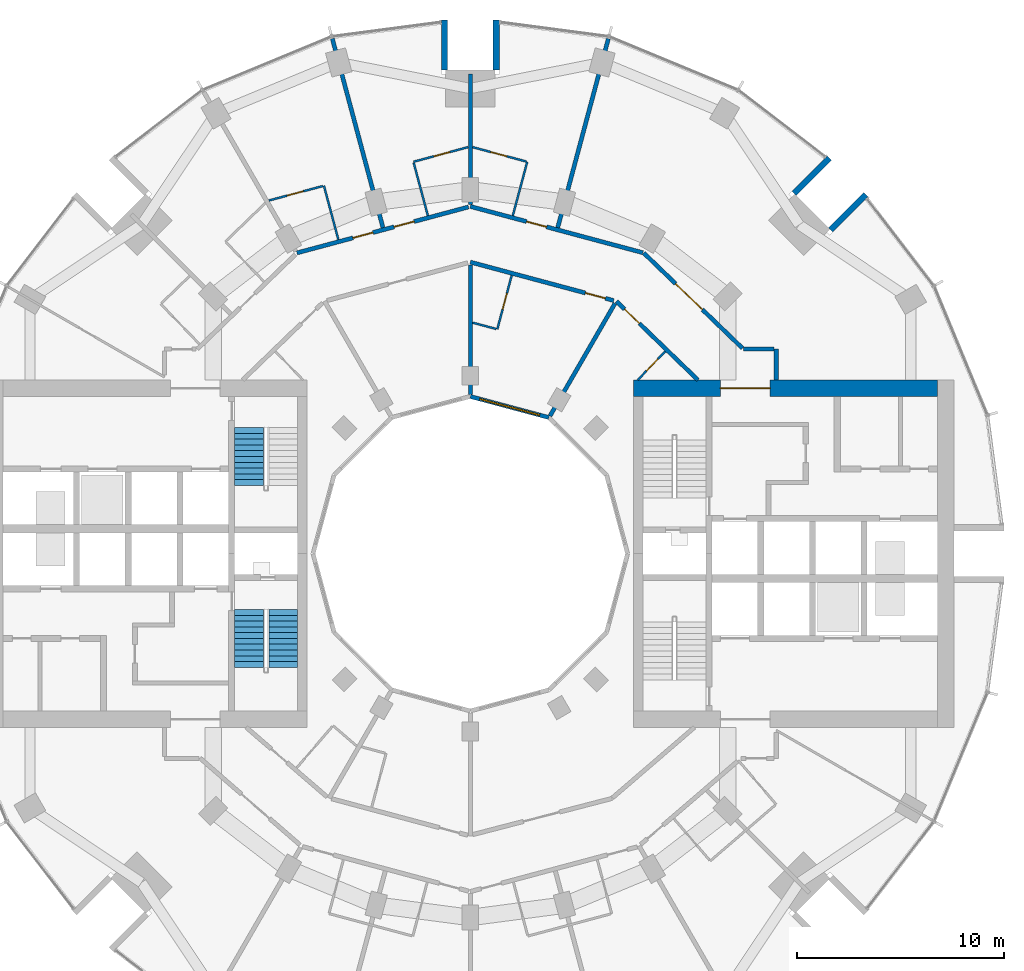
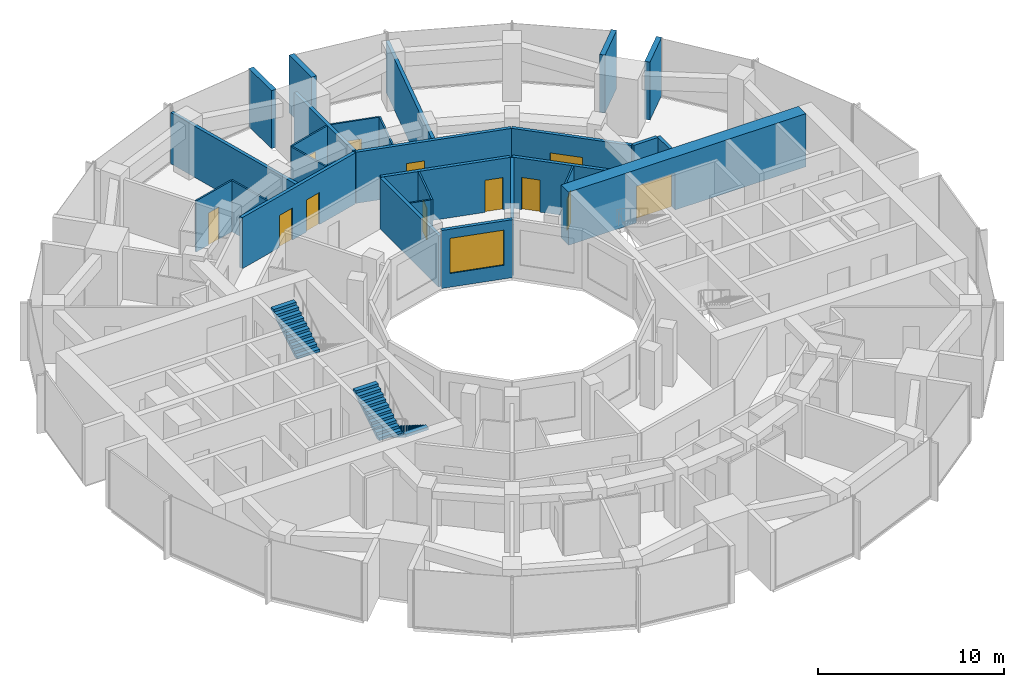
# One storey, part 12 of 15: 27 walls, 12 doors, 3 stair flights, 1 window, 13 openings, 2 elements without a shape of their own.
"""IFC4 building model written with IfcOpenShell, lengths in metres."""

import ifcopenshell
import ifcopenshell.guid

model = None  # the IFC model being written
_history = None  # IfcOwnerHistory: only IFC2X3 demands one
_inside = {}  # id of a spatial element -> (the spatial element, [elements in it])
_under = {}  # id of a project, library or spatial element -> (it, [spatial elements below it])
_declared = {}  # id of a project -> (the project, [libraries it declares])
_typed = {}  # id of a type object -> (the type object, [elements of that type])
_made_of = {}  # id of a material, layer set ... -> (it, [elements and type objects made of it])


def new_model(schema):
    """Start an empty IFC model of exactly this schema.

    Asked for "IFC4X3", IfcOpenShell would pick the latest addendum, in which some entities
    have other attributes; the version numbers below select the first issue.
    IFC2X3 requires an IfcOwnerHistory on every rooted entity: one is made here for all.
    """
    global model, _history
    if schema == "IFC4X3":
        model = ifcopenshell.file(schema_version=(4, 3, 0, 0))
    else:
        model = ifcopenshell.file(schema=schema)
    _inside.clear()
    _under.clear()
    _declared.clear()
    _typed.clear()
    _made_of.clear()
    _history = None
    if model.schema == "IFC2X3":
        org = make("IfcOrganization", Name="unknown")
        user = make(
            "IfcPersonAndOrganization",
            ThePerson=make("IfcPerson", FamilyName="unknown"),
            TheOrganization=org,
        )
        app = make(
            "IfcApplication",
            ApplicationDeveloper=org,
            Version="unknown",
            ApplicationFullName="unknown",
            ApplicationIdentifier="unknown",
        )
        _history = make(
            "IfcOwnerHistory",
            OwningUser=user,
            OwningApplication=app,
            ChangeAction="ADDED",
            CreationDate=0,
        )
    return model


def make(cls, **values):
    """One entity of the class cls with the attributes given. An attribute that is None is left unset."""
    return model.create_entity(
        cls, **{name: value for name, value in values.items() if value is not None}
    )


def rooted(cls, **values):
    """An entity with a GlobalId (a new one), such as an element, a storey or a relation."""
    return make(cls, GlobalId=ifcopenshell.guid.new(), OwnerHistory=_history, **values)


def si_unit(unit_type, name, prefix=None):
    """IfcSIUnit, for example si_unit("LENGTHUNIT", "METRE", prefix="MILLI")."""
    return make("IfcSIUnit", UnitType=unit_type, Prefix=prefix, Name=name)


def assignment(units):
    """IfcUnitAssignment: the units of a project."""
    return None if units is None else make("IfcUnitAssignment", Units=units)


def point(xyz):
    """IfcCartesianPoint."""
    return None if xyz is None else make("IfcCartesianPoint", Coordinates=xyz)


def direction(xyz):
    """IfcDirection."""
    return None if xyz is None else make("IfcDirection", DirectionRatios=xyz)


def frame(location, z_axis=None, x_axis=None):
    """IfcAxis2Placement3D, a coordinate frame: its origin and axes. An axis left out is left unset."""
    return make(
        "IfcAxis2Placement3D",
        Location=point(location),
        Axis=direction(z_axis),
        RefDirection=direction(x_axis),
    )


def frame_2d(location, x_axis=None):
    """IfcAxis2Placement2D, a coordinate frame in the plane: its origin and x axis."""
    return make(
        "IfcAxis2Placement2D", Location=point(location), RefDirection=direction(x_axis)
    )


def origin():
    """The frame at (0, 0, 0) with its axes left unset."""
    return frame((0.0, 0.0, 0.0))


def place(relative_to, where):
    """IfcLocalPlacement: puts the frame where relative to a parent placement (None: the world)."""
    return make(
        "IfcLocalPlacement", PlacementRelTo=relative_to, RelativePlacement=where
    )


def context(
    kind, dimensions, precision=None, world=None, true_north=None, identifier=None
):
    """IfcGeometricRepresentationContext, for example the 3D "Model" context."""
    return make(
        "IfcGeometricRepresentationContext",
        ContextIdentifier=identifier,
        ContextType=kind,
        CoordinateSpaceDimension=dimensions,
        Precision=precision,
        WorldCoordinateSystem=world,
        TrueNorth=true_north,
    )


def subcontext(parent, identifier, kind, view, scale=None):
    """IfcGeometricRepresentationSubContext, for example "Body" below "Model"."""
    return make(
        "IfcGeometricRepresentationSubContext",
        ContextIdentifier=identifier,
        ContextType=kind,
        ParentContext=parent,
        TargetScale=scale,
        TargetView=view,
    )


def project(units=None, contexts=None):
    """IfcProject with its units and contexts."""
    return rooted(
        "IfcProject",
        Name="project",
        RepresentationContexts=contexts,
        UnitsInContext=assignment(units),
    )


def spatial(cls, under=None, at=None, **own):
    """A site, building, storey or space (cls), placed at a placement, below another one or the project."""
    s = rooted(cls, ObjectPlacement=at, **own)
    if under is not None:
        _under.setdefault(under.id(), (under, []))[1].append(s)
    return s


def polyline(points):
    """IfcPolyline through the points."""
    return make("IfcPolyline", Points=[point(p) for p in points])


def profile(cls, at=None, kind="AREA", **sizes):
    """A parametric profile (cls). Its sizes go by their IFC names, for example OverallWidth=200.0."""
    return make(cls, ProfileType=kind, Position=at, **sizes)


def rectangle(**sizes):
    """IfcRectangleProfileDef."""
    return profile("IfcRectangleProfileDef", **sizes)


def outline(outer, holes=None, kind="AREA"):
    """IfcArbitraryClosedProfileDef: a profile drawn as a closed curve; with holes, ...WithVoids."""
    if holes is None:
        return make("IfcArbitraryClosedProfileDef", ProfileType=kind, OuterCurve=outer)
    return make(
        "IfcArbitraryProfileDefWithVoids",
        ProfileType=kind,
        OuterCurve=outer,
        InnerCurves=holes,
    )


def extrude(swept, where, along, depth):
    """IfcExtrudedAreaSolid: the profile swept, set in the frame where, extruded along a direction by depth."""
    return make(
        "IfcExtrudedAreaSolid",
        SweptArea=swept,
        Position=where,
        ExtrudedDirection=direction(along),
        Depth=depth,
    )


def shape(context_of_items, identifier, shape_type, items):
    """IfcShapeRepresentation: the items that make up one representation, for example the "Body"."""
    return make(
        "IfcShapeRepresentation",
        ContextOfItems=context_of_items,
        RepresentationIdentifier=identifier,
        RepresentationType=shape_type,
        Items=items,
    )


def material(Name=None, Category=None):
    """IfcMaterial."""
    return make("IfcMaterial", Name=Name, Category=Category)


def layer(
    of_material, thickness, ventilated=None, Name=None, Category=None, Priority=None
):
    """IfcMaterialLayer: one layer of a wall or slab, of a material (None: an air gap)."""
    return make(
        "IfcMaterialLayer",
        Material=of_material,
        LayerThickness=thickness,
        IsVentilated=ventilated,
        Name=Name,
        Category=Category,
        Priority=Priority,
    )


def layer_set(layers, Name=None):
    """IfcMaterialLayerSet."""
    return make("IfcMaterialLayerSet", MaterialLayers=layers, LayerSetName=Name)


def made_of(thing, what):
    """Note that an element or type object is made of a material, layer set ...; save() writes the relation."""
    if what is not None:
        _made_of.setdefault(what.id(), (what, []))[1].append(thing)
    return thing


def type_object(cls, material=None, **own):
    """A type object (cls), such as IfcWallType, which elements share."""
    return made_of(rooted(cls, **own), material)


def element(
    cls,
    number,
    at=None,
    inside=None,
    cuts=None,
    type_object=None,
    material=None,
    context=None,
    identifier="Body",
    shape_type=None,
    held_by="IfcProductDefinitionShape",
    body=None,
    shapes=None,
    **own,
):
    """One element of the class cls, such as IfcWall. Its Tag is "e" and its number.

    at: its placement. inside: the storey or other place that contains it. cuts: it is an
    opening in that element (IfcRelVoidsElement). A single representation is given by context,
    identifier, shape_type and body (its items); several are given by shapes. held_by: the class
    of the entity that holds the representations. save() writes the other relations.
    """
    e = rooted(cls, Tag="e%d" % number, ObjectPlacement=at, **own)
    if body is not None:
        shapes = [shape(context, identifier, shape_type, body)]
    if shapes is not None:
        e.Representation = make(held_by, Representations=shapes)
    if inside is not None:
        _inside.setdefault(inside.id(), (inside, []))[1].append(e)
    if cuts is not None:
        rooted(
            "IfcRelVoidsElement", RelatingBuildingElement=cuts, RelatedOpeningElement=e
        )
    if type_object is not None:
        _typed.setdefault(type_object.id(), (type_object, []))[1].append(e)
    return made_of(e, material)


def fill(opening, filler):
    """IfcRelFillsElement: the door or window that sits in an opening."""
    return rooted(
        "IfcRelFillsElement",
        RelatingOpeningElement=opening,
        RelatedBuildingElement=filler,
    )


def aggregate(whole, parts):
    """IfcRelAggregates: a whole, such as a stair, and the parts it consists of."""
    return rooted("IfcRelAggregates", RelatingObject=whole, RelatedObjects=parts)


def save(model, path):
    """Write the relations noted so far, then the file.

    IfcRelAggregates (storeys below a building ...), IfcRelContainedInSpatialStructure (elements
    in a storey), IfcRelDefinesByType, IfcRelAssociatesMaterial and IfcRelDeclares: one each for
    every whole, place, type object, material and project.
    """
    for whole, parts in _under.values():
        aggregate(whole, parts)
    for where, things in _inside.values():
        rooted(
            "IfcRelContainedInSpatialStructure",
            RelatedElements=things,
            RelatingStructure=where,
        )
    for kind, things in _typed.values():
        rooted("IfcRelDefinesByType", RelatedObjects=things, RelatingType=kind)
    for what, things in _made_of.values():
        rooted("IfcRelAssociatesMaterial", RelatedObjects=things, RelatingMaterial=what)
    for by, libraries in _declared.values():
        rooted("IfcRelDeclares", RelatingContext=by, RelatedDefinitions=libraries)
    model.write(path)


model = new_model("IFC4")

# Units and contexts
model_context = context("Model", 3, precision=1e-05, world=origin(), true_north=direction((0.0, 1.0)))
body_context = subcontext(model_context, "Body", "Model", "MODEL_VIEW")
ifc_project = project(units=[si_unit("LENGTHUNIT", "METRE"), si_unit("AREAUNIT", "SQUARE_METRE"), si_unit("VOLUMEUNIT", "CUBIC_METRE"), si_unit("PLANEANGLEUNIT", "RADIAN"), si_unit("MASSUNIT", "GRAM", prefix="KILO")], contexts=[model_context])

# Site, building, storey
site_placement = place(None, origin())
site = spatial("IfcSite", under=ifc_project, at=site_placement, CompositionType="ELEMENT")
building_placement = place(site_placement, origin())
building = spatial("IfcBuilding", under=site, at=building_placement, Name="Torre Brocal", CompositionType="ELEMENT")
storey_placement = place(building_placement, frame((0.0, 0.0, 63.0)))
storey = spatial("IfcBuildingStorey", under=building, at=storey_placement, Name="L14", CompositionType="ELEMENT", Elevation=63.0)

# Wall, opening, door
ifc_material_1 = material(Name="Concrete C80", Category="concrete")
ifc_layer_1 = layer(ifc_material_1, 0.800048828125)
ifc_layer_set_1 = layer_set([ifc_layer_1], Name="Concrete C80")
wall_type_1 = type_object("IfcWallType", Name="CORE WALL 800 C80", PredefinedType="SHEAR", material=ifc_layer_set_1)
wall_1_placement = place(storey_placement, frame((87.89990234375, 83.0, 0.0), z_axis=(0.0, 0.0, 1.0), x_axis=(1.0, 0.0, 0.0)))
wall_1 = element("IfcWall", 1, at=wall_1_placement, inside=storey, type_object=wall_type_1, Name="Wall CW800-80", PredefinedType="SHEAR", context=body_context, shape_type="SweptSolid", body=[
    extrude(rectangle(XDim=14.7001953125, YDim=0.800048828125, at=frame_2d((7.35009765625, 0.0))), origin(), (0.0, 0.0, 1.0), 3.47998046875),
])
opening_1_placement = place(wall_1_placement, frame((4.199951171875, 0.0, 0.0)))
opening_1 = element("IfcOpeningElement", 2, at=opening_1_placement, cuts=wall_1, Name="Opening E-D24", PredefinedType="OPENING", context=body_context, shape_type="SweptSolid", body=[
    extrude(rectangle(XDim=2.39990234375, YDim=2.39990234375, at=frame_2d((1.199951171875, 1.199951171875))), frame((0.0, 0.409912109375, 0.0), z_axis=(0.0, -1.0, 0.0), x_axis=(1.0, 0.0, 0.0)), (0.0, 0.0, 1.0), 0.820068359375),
])
ifc_material_2 = material(Name="Steel A653", Category="steel")
door_type_1 = type_object("IfcDoorType", Name="DOUBLE FIRE DOOR FD90 2400X2400", OperationType="DOUBLE_DOOR_SINGLE_SWING", PredefinedType="DOOR", material=ifc_material_2)
door_1_placement = place(opening_1_placement, frame((2.39990234375, 0.0, 0.0), z_axis=(0.0, 0.0, 1.0), x_axis=(-1.0, 0.0, 0.0)))
door_1 = element("IfcDoor", 3, at=door_1_placement, inside=storey, type_object=door_type_1, Name="Door E-D24", OperationType="DOUBLE_DOOR_SINGLE_SWING", OverallHeight=2.39990234375, OverallWidth=2.39990234375, PredefinedType="DOOR", context=body_context, shape_type="SweptSolid", body=[
    extrude(rectangle(XDim=2.39990234375, YDim=2.39990234375, at=frame_2d((1.199951171875, 1.199951171875))), frame((0.0, 0.02490234375, 0.0), z_axis=(0.0, -1.0, 0.0), x_axis=(1.0, 0.0, 0.0)), (0.0, 0.0, 1.0), 0.050048828125),
])
fill(opening_1, door_1)

# Walls
ifc_material_3 = material(Name="Concrete C80", Category="concrete")
ifc_layer_2 = layer(ifc_material_3, 0.300048828125)
ifc_layer_set_2 = layer_set([ifc_layer_2], Name="Concrete C80")
wall_type_2 = type_object("IfcWallType", Name="NOTCH RETURN WALL 300 C80", PredefinedType="NOTDEFINED", material=ifc_layer_set_2)
for number, where, z_axis, x_axis, name in (
    (4, (97.43017578125, 90.662353515625, 0.0), (0.0, 0.0, 1.0), (0.707106781187, 0.707106781187, 0.0), "NOTCH RETURN WALL"),
    (5, (95.662353515625, 92.43017578125, 0.0), (0.0, 0.0, 1.0), (0.707106781187, 0.707106781187, 0.0), "NOTCH RETURN WALL"),
    (6, (81.25, 98.39990234375, 0.0), (0.0, 0.0, 1.0), (0.0, 1.0, 0.0), "NOTCH RETURN WALL"),
    (7, (78.75, 98.39990234375, 0.0), (0.0, 0.0, 1.0), (0.0, 1.0, 0.0), "NOTCH RETURN WALL"),
):
    element("IfcWall", number, at=place(storey_placement, frame(where, z_axis=z_axis, x_axis=x_axis)), inside=storey, type_object=wall_type_2, Name=name, PredefinedType="NOTDEFINED", context=body_context, shape_type="SweptSolid", body=[
        extrude(rectangle(XDim=2.415771484375, YDim=0.300048828125, at=frame_2d((1.2080078125, 0.0))), origin(), (0.0, 0.0, 1.0), 3.800048828125),
    ])

# Wall, opening, door
ifc_material_4 = material(Name="Gypsum board", Category="Gypsum")
ifc_layer_3 = layer(ifc_material_4, 0.10009765625)
ifc_layer_set_3 = layer_set([ifc_layer_3], Name="Gypsum board")
wall_type_3 = type_object("IfcWallType", Name="PARTITION 100", PredefinedType="PARTITIONING", material=ifc_layer_set_3)
wall_2_placement = place(storey_placement, frame((70.25830078125, 92.084716796875, 0.0), z_axis=(0.0, 0.0, 1.0), x_axis=(0.965948051503, 0.258736085224, 0.0)))
wall_2 = element("IfcWall", 8, at=wall_2_placement, inside=storey, type_object=wall_type_3, Name="BATHROOM WALL", PredefinedType="PARTITIONING", context=body_context, shape_type="SweptSolid", body=[
    extrude(rectangle(XDim=2.703369140625, YDim=0.10009765625, at=frame_2d((1.3515625, 0.0))), origin(), (0.0, 0.0, 1.0), 3.35009765625),
])
opening_2_placement = place(wall_2_placement, frame((0.921630859375, 0.0, 0.0)))
opening_2 = element("IfcOpeningElement", 9, at=opening_2_placement, cuts=wall_2, Name="Opening H04-D07", PredefinedType="OPENING", context=body_context, shape_type="SweptSolid", body=[
    extrude(rectangle(XDim=0.800048828125, YDim=2.10009765625, at=frame_2d((0.39990234375, 1.050048828125))), frame((0.0, 0.06005859375, 0.0), z_axis=(0.0, -1.0, 0.0), x_axis=(1.0, 0.0, 0.0)), (0.0, 0.0, 1.0), 0.1201171875),
])
ifc_material_5 = material(Name="Timber", Category="wood")
door_type_2 = type_object("IfcDoorType", Name="BATHROOM DOOR 800X2100", OperationType="SINGLE_SWING_LEFT", PredefinedType="DOOR", material=ifc_material_5)
door_2_placement = place(opening_2_placement, frame((0.800048828125, 0.0, 0.0), z_axis=(0.0, 0.0, 1.0), x_axis=(-1.0, 0.0, 0.0)))
door_2 = element("IfcDoor", 10, at=door_2_placement, inside=storey, type_object=door_type_2, Name="H04-D07", OperationType="SINGLE_SWING_RIGHT", OverallHeight=2.10009765625, OverallWidth=0.800048828125, PredefinedType="DOOR", context=body_context, shape_type="SweptSolid", body=[
    extrude(rectangle(XDim=0.800048828125, YDim=2.10009765625, at=frame_2d((0.39990234375, 1.050048828125))), frame((0.0, 0.02490234375, 0.0), z_axis=(0.0, -1.0, 0.0), x_axis=(1.0, 0.0, 0.0)), (0.0, 0.0, 1.0), 0.050048828125),
])
fill(opening_2, door_2)

# Walls
wall_3_placement = place(storey_placement, frame((72.91796875, 92.797119140625, 0.0), z_axis=(0.0, 0.0, 1.0), x_axis=(0.25867580527, -0.965964195904, 0.0)))
element("IfcWall", 11, at=wall_3_placement, inside=storey, type_object=wall_type_3, Name="BATHROOM WALL", PredefinedType="PARTITIONING", context=body_context, shape_type="SweptSolid", body=[
    extrude(rectangle(XDim=2.69921875, YDim=0.10009765625, at=frame_2d((1.349609375, 0.0))), origin(), (0.0, 0.0, 1.0), 3.35009765625),
])
wall_4_placement = place(storey_placement, frame((77.260009765625, 93.90869140625, 0.0), z_axis=(0.0, 0.0, 1.0), x_axis=(0.258935674139, -0.965894568086, 0.0)))
element("IfcWall", 12, at=wall_4_placement, inside=storey, type_object=wall_type_3, Name="BATHROOM WALL", PredefinedType="PARTITIONING", context=body_context, shape_type="SweptSolid", body=[
    extrude(rectangle(XDim=2.6494140625, YDim=0.10009765625, at=frame_2d((1.32470703125, 0.0))), origin(), (0.0, 0.0, 1.0), 3.35009765625),
])

# Wall, opening, door
wall_5_placement = place(storey_placement, frame((77.2470703125, 93.956787109375, 0.0), z_axis=(0.0, 0.0, 1.0), x_axis=(0.965922199757, 0.258832579125, 0.0)))
wall_5 = element("IfcWall", 13, at=wall_5_placement, inside=storey, type_object=wall_type_3, Name="BATHROOM WALL", PredefinedType="PARTITIONING", context=body_context, shape_type="SweptSolid", body=[
    extrude(rectangle(XDim=2.739990234375, YDim=0.10009765625, at=frame_2d((1.3701171875, 0.0))), origin(), (0.0, 0.0, 1.0), 3.35009765625),
])
opening_3_placement = place(wall_5_placement, frame((1.025146484375, 0.0, 0.0)))
opening_3 = element("IfcOpeningElement", 14, at=opening_3_placement, cuts=wall_5, Name="Opening H04-D05", PredefinedType="OPENING", context=body_context, shape_type="SweptSolid", body=[
    extrude(rectangle(XDim=0.800048828125, YDim=2.10009765625, at=frame_2d((0.39990234375, 1.050048828125))), frame((0.0, 0.06005859375, 0.0), z_axis=(0.0, -1.0, 0.0), x_axis=(1.0, 0.0, 0.0)), (0.0, 0.0, 1.0), 0.1201171875),
])
door_3_placement = place(opening_3_placement, frame((0.800048828125, 0.0, 0.0), z_axis=(0.0, 0.0, 1.0), x_axis=(-1.0, 0.0, 0.0)))
door_3 = element("IfcDoor", 15, at=door_3_placement, inside=storey, type_object=door_type_2, Name="H04-D05", OperationType="SINGLE_SWING_LEFT", OverallHeight=2.10009765625, OverallWidth=0.800048828125, PredefinedType="DOOR", context=body_context, shape_type="SweptSolid", body=[
    extrude(rectangle(XDim=0.800048828125, YDim=2.10009765625, at=frame_2d((0.39990234375, 1.050048828125))), frame((0.0, 0.02490234375, 0.0), z_axis=(0.0, -1.0, 0.0), x_axis=(1.0, 0.0, 0.0)), (0.0, 0.0, 1.0), 0.050048828125),
])
fill(opening_3, door_3)

# Wall
wall_6_placement = place(storey_placement, frame((80.106201171875, 86.176513671875, 0.0), z_axis=(0.0, 0.0, 1.0), x_axis=(0.966002973184, -0.258530957139, 0.0)))
element("IfcWall", 16, at=wall_6_placement, inside=storey, type_object=wall_type_3, Name="BATHROOM WALL", PredefinedType="PARTITIONING", context=body_context, shape_type="SweptSolid", body=[
    extrude(rectangle(XDim=1.18994140625, YDim=0.10009765625, at=frame_2d((0.594970703125, 0.0))), origin(), (0.0, 0.0, 1.0), 3.35009765625),
])

# Wall, opening, door
wall_7_placement = place(storey_placement, frame((80.106201171875, 94.66650390625, 0.0), z_axis=(0.0, 0.0, 1.0), x_axis=(0.96589821458, -0.258922071427, 0.0)))
wall_7 = element("IfcWall", 17, at=wall_7_placement, inside=storey, type_object=wall_type_3, Name="BATHROOM WALL", PredefinedType="PARTITIONING", context=body_context, shape_type="SweptSolid", body=[
    extrude(rectangle(XDim=2.690185546875, YDim=0.10009765625, at=frame_2d((1.34521484375, 0.0))), origin(), (0.0, 0.0, 1.0), 3.35009765625),
])
opening_4_placement = place(wall_7_placement, frame((0.9150390625, 0.0, 0.0)))
opening_4 = element("IfcOpeningElement", 18, at=opening_4_placement, cuts=wall_7, Name="Opening H04-D03", PredefinedType="OPENING", context=body_context, shape_type="SweptSolid", body=[
    extrude(rectangle(XDim=0.800048828125, YDim=2.10009765625, at=frame_2d((0.39990234375, 1.050048828125))), frame((0.0, 0.06005859375, 0.0), z_axis=(0.0, -1.0, 0.0), x_axis=(1.0, 0.0, 0.0)), (0.0, 0.0, 1.0), 0.1201171875),
])
door_4_placement = place(opening_4_placement, frame((0.800048828125, 0.0, 0.0), z_axis=(0.0, 0.0, 1.0), x_axis=(-1.0, 0.0, 0.0)))
door_4 = element("IfcDoor", 19, at=door_4_placement, inside=storey, type_object=door_type_2, Name="H04-D03", OperationType="SINGLE_SWING_RIGHT", OverallHeight=2.10009765625, OverallWidth=0.800048828125, PredefinedType="DOOR", context=body_context, shape_type="SweptSolid", body=[
    extrude(rectangle(XDim=0.800048828125, YDim=2.10009765625, at=frame_2d((0.39990234375, 1.050048828125))), frame((0.0, 0.02490234375, 0.0), z_axis=(0.0, -1.0, 0.0), x_axis=(1.0, 0.0, 0.0)), (0.0, 0.0, 1.0), 0.050048828125),
])
fill(opening_4, door_4)

wall_8_placement = place(storey_placement, frame((81.303955078125, 85.85595703125, 0.0), z_axis=(0.0, 0.0, 1.0), x_axis=(0.25867580527, 0.965964195904, 0.0)))
wall_8 = element("IfcWall", 20, at=wall_8_placement, inside=storey, type_object=wall_type_3, Name="BATHROOM WALL", PredefinedType="PARTITIONING", context=body_context, shape_type="SweptSolid", body=[
    extrude(rectangle(XDim=2.69921875, YDim=0.10009765625, at=frame_2d((1.349609375, 0.0))), origin(), (0.0, 0.0, 1.0), 3.35009765625),
])
opening_5_placement = place(wall_8_placement, frame((0.99951171875, 0.0, 0.0)))
opening_5 = element("IfcOpeningElement", 21, at=opening_5_placement, cuts=wall_8, Name="Opening H04-D16", PredefinedType="OPENING", context=body_context, shape_type="SweptSolid", body=[
    extrude(rectangle(XDim=0.800048828125, YDim=2.10009765625, at=frame_2d((0.39990234375, 1.050048828125))), frame((0.0, 0.06005859375, 0.0), z_axis=(0.0, -1.0, 0.0), x_axis=(1.0, 0.0, 0.0)), (0.0, 0.0, 1.0), 0.1201171875),
])
door_5_placement = place(opening_5_placement, origin())
door_5 = element("IfcDoor", 22, at=door_5_placement, inside=storey, type_object=door_type_2, Name="H04-D16", OperationType="SINGLE_SWING_RIGHT", OverallHeight=2.10009765625, OverallWidth=0.800048828125, PredefinedType="DOOR", context=body_context, shape_type="SweptSolid", body=[
    extrude(rectangle(XDim=0.800048828125, YDim=2.10009765625, at=frame_2d((0.39990234375, 1.050048828125))), frame((0.0, 0.02490234375, 0.0), z_axis=(0.0, -1.0, 0.0), x_axis=(1.0, 0.0, 0.0)), (0.0, 0.0, 1.0), 0.050048828125),
])
fill(opening_5, door_5)

# Wall
wall_9_placement = place(storey_placement, frame((82.053955078125, 91.349609375, 0.0), z_axis=(0.0, 0.0, 1.0), x_axis=(0.258928960762, 0.965896367774, 0.0)))
element("IfcWall", 23, at=wall_9_placement, inside=storey, type_object=wall_type_3, Name="BATHROOM WALL", PredefinedType="PARTITIONING", context=body_context, shape_type="SweptSolid", body=[
    extrude(rectangle(XDim=2.699462890625, YDim=0.10009765625, at=frame_2d((1.349609375, 0.0))), origin(), (0.0, 0.0, 1.0), 3.35009765625),
])

# Wall, opening, door
wall_10_placement = place(storey_placement, frame((88.094970703125, 83.39990234375, 0.0), z_axis=(0.0, 0.0, 1.0), x_axis=(0.694447472534, 0.719543402368, 0.0)))
wall_10 = element("IfcWall", 24, at=wall_10_placement, inside=storey, type_object=wall_type_3, Name="BATHROOM WALL", PredefinedType="PARTITIONING", context=body_context, shape_type="SweptSolid", body=[
    extrude(rectangle(XDim=1.92626953125, YDim=0.10009765625, at=frame_2d((0.963134765625, 0.0))), origin(), (0.0, 0.0, 1.0), 3.35009765625),
])
opening_6_placement = place(wall_10_placement, frame((0.613037109375, 0.0, 0.0)))
opening_6 = element("IfcOpeningElement", 25, at=opening_6_placement, cuts=wall_10, Name="Opening H04-D14", PredefinedType="OPENING", context=body_context, shape_type="SweptSolid", body=[
    extrude(rectangle(XDim=0.800048828125, YDim=2.10009765625, at=frame_2d((0.39990234375, 1.050048828125))), frame((0.0, 0.06005859375, 0.0), z_axis=(0.0, -1.0, 0.0), x_axis=(1.0, 0.0, 0.0)), (0.0, 0.0, 1.0), 0.1201171875),
])
door_6_placement = place(opening_6_placement, frame((0.800048828125, 0.0, 0.0), z_axis=(0.0, 0.0, 1.0), x_axis=(-1.0, 0.0, 0.0)))
door_6 = element("IfcDoor", 26, at=door_6_placement, inside=storey, type_object=door_type_2, Name="H04-D14", OperationType="SINGLE_SWING_LEFT", OverallHeight=2.10009765625, OverallWidth=0.800048828125, PredefinedType="DOOR", context=body_context, shape_type="SweptSolid", body=[
    extrude(rectangle(XDim=0.800048828125, YDim=2.10009765625, at=frame_2d((0.39990234375, 1.050048828125))), frame((0.0, 0.02490234375, 0.0), z_axis=(0.0, -1.0, 0.0), x_axis=(1.0, 0.0, 0.0)), (0.0, 0.0, 1.0), 0.050048828125),
])
fill(opening_6, door_6)

# Wall, openings, doors
ifc_material_6 = material(Name="Gypsum board", Category="Gypsum")
ifc_layer_4 = layer(ifc_material_6, 0.199951171875)
ifc_layer_set_4 = layer_set([ifc_layer_4], Name="Gypsum board")
wall_type_4 = type_object("IfcWallType", Name="PARTITION 200 EI60", PredefinedType="PARTITIONING", material=ifc_layer_set_4)
wall_11_placement = place(storey_placement, frame((71.61376953125, 89.5498046875, 0.0), z_axis=(0.0, 0.0, 1.0), x_axis=(0.965982156828, 0.258608725086, 0.0)))
wall_11 = element("IfcWall", 27, at=wall_11_placement, inside=storey, type_object=wall_type_4, Name="GUESTROOM CORRIDOR WALL", PredefinedType="PARTITIONING", context=body_context, shape_type="SweptSolid", body=[
    extrude(rectangle(XDim=8.591796875, YDim=0.199951171875, at=frame_2d((4.2958984375, 0.0))), origin(), (0.0, 0.0, 1.0), 3.35009765625),
])
opening_7_placement = place(wall_11_placement, frame((4.864990234375, 0.0, 0.0)))
opening_7 = element("IfcOpeningElement", 28, at=opening_7_placement, cuts=wall_11, Name="Opening H04-D04", PredefinedType="OPENING", context=body_context, shape_type="SweptSolid", body=[
    extrude(rectangle(XDim=1.0, YDim=2.10009765625, at=frame_2d((0.5, 1.050048828125))), frame((0.0, 0.10986328125, 0.0), z_axis=(0.0, -1.0, 0.0), x_axis=(1.0, 0.0, 0.0)), (0.0, 0.0, 1.0), 0.219970703125),
])
opening_8_placement = place(wall_11_placement, frame((2.804443359375, 0.0, 0.0)))
opening_8 = element("IfcOpeningElement", 29, at=opening_8_placement, cuts=wall_11, Name="Opening H04-D06", PredefinedType="OPENING", context=body_context, shape_type="SweptSolid", body=[
    extrude(rectangle(XDim=1.0, YDim=2.10009765625, at=frame_2d((0.5, 1.050048828125))), frame((0.0, 0.10986328125, 0.0), z_axis=(0.0, -1.0, 0.0), x_axis=(1.0, 0.0, 0.0)), (0.0, 0.0, 1.0), 0.219970703125),
])
ifc_material_7 = material(Name="Timber", Category="wood")
door_type_3 = type_object("IfcDoorType", Name="FLAT ENTRY DOOR FD30S 1000X2100", OperationType="SINGLE_SWING_RIGHT", PredefinedType="DOOR", material=ifc_material_7)
door_7_placement = place(opening_7_placement, origin())
door_7 = element("IfcDoor", 30, at=door_7_placement, inside=storey, type_object=door_type_3, Name="H04-D04", OperationType="SINGLE_SWING_LEFT", OverallHeight=2.10009765625, OverallWidth=1.0, PredefinedType="DOOR", context=body_context, shape_type="SweptSolid", body=[
    extrude(rectangle(XDim=1.0, YDim=2.10009765625, at=frame_2d((0.5, 1.050048828125))), frame((0.0, 0.02490234375, 0.0), z_axis=(0.0, -1.0, 0.0), x_axis=(1.0, 0.0, 0.0)), (0.0, 0.0, 1.0), 0.050048828125),
])
fill(opening_7, door_7)
door_8_placement = place(opening_8_placement, origin())
door_8 = element("IfcDoor", 31, at=door_8_placement, inside=storey, type_object=door_type_3, Name="H04-D06", OperationType="SINGLE_SWING_RIGHT", OverallHeight=2.10009765625, OverallWidth=1.0, PredefinedType="DOOR", context=body_context, shape_type="SweptSolid", body=[
    extrude(rectangle(XDim=1.0, YDim=2.10009765625, at=frame_2d((0.5, 1.050048828125))), frame((0.0, 0.02490234375, 0.0), z_axis=(0.0, -1.0, 0.0), x_axis=(1.0, 0.0, 0.0)), (0.0, 0.0, 1.0), 0.050048828125),
])
fill(opening_8, door_8)

# Walls
wall_12_placement = place(storey_placement, frame((73.322998046875, 99.919189453125, 0.0), z_axis=(0.0, 0.0, 1.0), x_axis=(0.258817230439, -0.965926312525, 0.0)))
element("IfcWall", 32, at=wall_12_placement, inside=storey, type_object=wall_type_4, Name="PARTY PARTITION", PredefinedType="PARTITIONING", context=body_context, shape_type="SweptSolid", body=[
    extrude(rectangle(XDim=9.474365234375, YDim=0.199951171875, at=frame_2d((4.7373046875, 0.0))), origin(), (0.0, 0.0, 1.0), 3.35009765625),
])
wall_13_placement = place(storey_placement, frame((80.0, 82.698974609375, 0.0), z_axis=(0.0, 0.0, 1.0), x_axis=(0.0, 1.0, 0.0)))
element("IfcWall", 33, at=wall_13_placement, inside=storey, type_object=wall_type_4, Name="BATHROOM WALL", PredefinedType="PARTITIONING", context=body_context, shape_type="SweptSolid", body=[
    extrude(rectangle(XDim=6.275146484375, YDim=0.199951171875, at=frame_2d((3.1376953125, 0.0))), origin(), (0.0, 0.0, 1.0), 3.35009765625),
])

# Wall, opening, door
wall_14_placement = place(storey_placement, frame((80.0, 89.10400390625, 0.0), z_axis=(0.0, 0.0, 1.0), x_axis=(0.965854247166, -0.25908603442, 0.0)))
wall_14 = element("IfcWall", 34, at=wall_14_placement, inside=storey, type_object=wall_type_4, Name="GUESTROOM CORRIDOR WALL", PredefinedType="PARTITIONING", context=body_context, shape_type="SweptSolid", body=[
    extrude(rectangle(XDim=7.183349609375, YDim=0.199951171875, at=frame_2d((3.591796875, 0.0))), origin(), (0.0, 0.0, 1.0), 3.35009765625),
])
opening_9_placement = place(wall_14_placement, frame((5.76318359375, 0.0, 0.0)))
opening_9 = element("IfcOpeningElement", 35, at=opening_9_placement, cuts=wall_14, Name="Opening H04-D15", PredefinedType="OPENING", context=body_context, shape_type="SweptSolid", body=[
    extrude(rectangle(XDim=1.0, YDim=2.10009765625, at=frame_2d((0.5, 1.050048828125))), frame((0.0, 0.10986328125, 0.0), z_axis=(0.0, -1.0, 0.0), x_axis=(1.0, 0.0, 0.0)), (0.0, 0.0, 1.0), 0.219970703125),
])
door_9_placement = place(opening_9_placement, frame((1.0, 0.0, 0.0), z_axis=(0.0, 0.0, 1.0), x_axis=(-1.0, 0.0, 0.0)))
door_9 = element("IfcDoor", 36, at=door_9_placement, inside=storey, type_object=door_type_3, Name="H04-D15", OperationType="SINGLE_SWING_LEFT", OverallHeight=2.10009765625, OverallWidth=1.0, PredefinedType="DOOR", context=body_context, shape_type="SweptSolid", body=[
    extrude(rectangle(XDim=1.0, YDim=2.10009765625, at=frame_2d((0.5, 1.050048828125))), frame((0.0, 0.02490234375, 0.0), z_axis=(0.0, -1.0, 0.0), x_axis=(1.0, 0.0, 0.0)), (0.0, 0.0, 1.0), 0.050048828125),
])
fill(opening_9, door_9)

# Wall
wall_15_placement = place(storey_placement, frame((80.0, 91.885986328125, 0.0), z_axis=(0.0, 0.0, 1.0), x_axis=(0.0, 1.0, 0.0)))
element("IfcWall", 37, at=wall_15_placement, inside=storey, type_object=wall_type_4, Name="BATHROOM WALL", PredefinedType="PARTITIONING", context=body_context, shape_type="SweptSolid", body=[
    extrude(rectangle(XDim=6.31396484375, YDim=0.199951171875, at=frame_2d((3.156982421875, 0.0))), origin(), (0.0, 0.0, 1.0), 3.35009765625),
])

# Wall, opening, door
wall_16_placement = place(storey_placement, frame((80.0, 91.79638671875, 0.0), z_axis=(0.0, 0.0, 1.0), x_axis=(0.965891796243, -0.258946013582, 0.0)))
wall_16 = element("IfcWall", 38, at=wall_16_placement, inside=storey, type_object=wall_type_4, Name="GUESTROOM CORRIDOR WALL", PredefinedType="PARTITIONING", context=body_context, shape_type="SweptSolid", body=[
    extrude(rectangle(XDim=8.641845703125, YDim=0.199951171875, at=frame_2d((4.32080078125, 0.0))), origin(), (0.0, 0.0, 1.0), 3.35009765625),
])
opening_10_placement = place(wall_16_placement, frame((2.816650390625, 0.0, 0.0)))
opening_10 = element("IfcOpeningElement", 39, at=opening_10_placement, cuts=wall_16, Name="Opening H04-D02", PredefinedType="OPENING", context=body_context, shape_type="SweptSolid", body=[
    extrude(rectangle(XDim=1.0, YDim=2.10009765625, at=frame_2d((0.5, 1.050048828125))), frame((0.0, 0.10986328125, 0.0), z_axis=(0.0, -1.0, 0.0), x_axis=(1.0, 0.0, 0.0)), (0.0, 0.0, 1.0), 0.219970703125),
])
door_10_placement = place(opening_10_placement, origin())
door_10 = element("IfcDoor", 40, at=door_10_placement, inside=storey, type_object=door_type_3, Name="H04-D02", OperationType="SINGLE_SWING_RIGHT", OverallHeight=2.10009765625, OverallWidth=1.0, PredefinedType="DOOR", context=body_context, shape_type="SweptSolid", body=[
    extrude(rectangle(XDim=1.0, YDim=2.10009765625, at=frame_2d((0.5, 1.050048828125))), frame((0.0, 0.02490234375, 0.0), z_axis=(0.0, -1.0, 0.0), x_axis=(1.0, 0.0, 0.0)), (0.0, 0.0, 1.0), 0.050048828125),
])
fill(opening_10, door_10)

# Walls
wall_17_placement = place(storey_placement, frame((83.8544921875, 81.663818359375, 0.0), z_axis=(0.0, 0.0, 1.0), x_axis=(0.500224530691, 0.865895732115, 0.0)))
element("IfcWall", 41, at=wall_17_placement, inside=storey, type_object=wall_type_4, Name="PARTY PARTITION", PredefinedType="PARTITIONING", context=body_context, shape_type="SweptSolid", body=[
    extrude(rectangle(XDim=6.28515625, YDim=0.199951171875, at=frame_2d((3.142578125, 0.0))), origin(), (0.0, 0.0, 1.0), 3.35009765625),
])
wall_18_placement = place(storey_placement, frame((84.225830078125, 90.768310546875, 0.0), z_axis=(0.0, 0.0, 1.0), x_axis=(0.258891088655, 0.965906519398, 0.0)))
element("IfcWall", 42, at=wall_18_placement, inside=storey, type_object=wall_type_4, Name="PARTY PARTITION", PredefinedType="PARTITIONING", context=body_context, shape_type="SweptSolid", body=[
    extrude(rectangle(XDim=9.4736328125, YDim=0.199951171875, at=frame_2d((4.73681640625, 0.0))), origin(), (0.0, 0.0, 1.0), 3.35009765625),
])

# Wall, opening, door
wall_19_placement = place(storey_placement, frame((87.06396484375, 87.2109375, 0.0), z_axis=(0.0, 0.0, 1.0), x_axis=(0.719540958932, -0.694450004262, 0.0)))
wall_19 = element("IfcWall", 43, at=wall_19_placement, inside=storey, type_object=wall_type_4, Name="GUESTROOM CORRIDOR WALL", PredefinedType="PARTITIONING", context=body_context, shape_type="SweptSolid", body=[
    extrude(rectangle(XDim=5.48779296875, YDim=0.199951171875, at=frame_2d((2.743896484375, 0.0))), origin(), (0.0, 0.0, 1.0), 3.35009765625),
])
opening_11_placement = place(wall_19_placement, frame((0.550048828125, 0.0, 0.0)))
opening_11 = element("IfcOpeningElement", 44, at=opening_11_placement, cuts=wall_19, Name="Opening H04-D13", PredefinedType="OPENING", context=body_context, shape_type="SweptSolid", body=[
    extrude(rectangle(XDim=1.0, YDim=2.10009765625, at=frame_2d((0.5, 1.050048828125))), frame((0.0, 0.10986328125, 0.0), z_axis=(0.0, -1.0, 0.0), x_axis=(1.0, 0.0, 0.0)), (0.0, 0.0, 1.0), 0.219970703125),
])
door_11_placement = place(opening_11_placement, frame((1.0, 0.0, 0.0), z_axis=(0.0, 0.0, 1.0), x_axis=(-1.0, 0.0, 0.0)))
door_11 = element("IfcDoor", 45, at=door_11_placement, inside=storey, type_object=door_type_3, Name="H04-D13", OperationType="SINGLE_SWING_RIGHT", OverallHeight=2.10009765625, OverallWidth=1.0, PredefinedType="DOOR", context=body_context, shape_type="SweptSolid", body=[
    extrude(rectangle(XDim=1.0, YDim=2.10009765625, at=frame_2d((0.5, 1.050048828125))), frame((0.0, 0.02490234375, 0.0), z_axis=(0.0, -1.0, 0.0), x_axis=(1.0, 0.0, 0.0)), (0.0, 0.0, 1.0), 0.050048828125),
])
fill(opening_11, door_11)

wall_20_placement = place(storey_placement, frame((88.385986328125, 89.548828125, 0.0), z_axis=(0.0, 0.0, 1.0), x_axis=(0.719560576741, -0.694429677073, 0.0)))
wall_20 = element("IfcWall", 46, at=wall_20_placement, inside=storey, type_object=wall_type_4, Name="CORRIDOR WALL", PredefinedType="PARTITIONING", context=body_context, shape_type="SweptSolid", body=[
    extrude(rectangle(XDim=6.63525390625, YDim=0.199951171875, at=frame_2d((3.317626953125, 0.0))), origin(), (0.0, 0.0, 1.0), 3.35009765625),
])
opening_12_placement = place(wall_20_placement, frame((2.147216796875, 0.0, 0.0)))
opening_12 = element("IfcOpeningElement", 47, at=opening_12_placement, cuts=wall_20, Name="Opening H04-D01", PredefinedType="OPENING", context=body_context, shape_type="SweptSolid", body=[
    extrude(rectangle(XDim=1.800048828125, YDim=2.10009765625, at=frame_2d((0.89990234375, 1.050048828125))), frame((0.0, 0.10986328125, 0.0), z_axis=(0.0, -1.0, 0.0), x_axis=(1.0, 0.0, 0.0)), (0.0, 0.0, 1.0), 0.219970703125),
])
ifc_material_8 = material(Name="Timber", Category="wood")
door_type_4 = type_object("IfcDoorType", Name="DOUBLE DOOR 1800X2100", OperationType="DOUBLE_DOOR_SINGLE_SWING", PredefinedType="DOOR", material=ifc_material_8)
door_12_placement = place(opening_12_placement, origin())
door_12 = element("IfcDoor", 48, at=door_12_placement, inside=storey, type_object=door_type_4, Name="H04-D01", OperationType="DOUBLE_DOOR_SINGLE_SWING", OverallHeight=2.10009765625, OverallWidth=1.800048828125, PredefinedType="DOOR", context=body_context, shape_type="SweptSolid", body=[
    extrude(rectangle(XDim=1.800048828125, YDim=2.10009765625, at=frame_2d((0.89990234375, 1.050048828125))), frame((0.0, 0.02490234375, 0.0), z_axis=(0.0, -1.0, 0.0), x_axis=(1.0, 0.0, 0.0)), (0.0, 0.0, 1.0), 0.050048828125),
])
fill(opening_12, door_12)

# Walls
wall_21_placement = place(storey_placement, frame((93.2041015625, 84.89990234375, 0.0), z_axis=(0.0, 0.0, 1.0), x_axis=(1.0, 0.0, 0.0)))
element("IfcWall", 49, at=wall_21_placement, inside=storey, type_object=wall_type_4, Name="CORRIDOR WALL", PredefinedType="PARTITIONING", context=body_context, shape_type="SweptSolid", body=[
    extrude(rectangle(XDim=1.495849609375, YDim=0.199951171875, at=frame_2d((0.748046875, 0.0))), origin(), (0.0, 0.0, 1.0), 3.35009765625),
])
wall_22_placement = place(storey_placement, frame((94.800048828125, 83.40087890625, 0.0), z_axis=(0.0, 0.0, 1.0), x_axis=(0.0, 1.0, 0.0)))
element("IfcWall", 50, at=wall_22_placement, inside=storey, type_object=wall_type_4, Name="CORRIDOR WALL", PredefinedType="PARTITIONING", context=body_context, shape_type="SweptSolid", body=[
    extrude(rectangle(XDim=1.4990234375, YDim=0.199951171875, at=frame_2d((0.74951171875, 0.0))), origin(), (0.0, 0.0, 1.0), 3.35009765625),
])

# Wall, opening, window
ifc_material_9 = material(Name="Concrete C40", Category="concrete")
ifc_layer_5 = layer(ifc_material_9, 0.199951171875)
ifc_layer_set_5 = layer_set([ifc_layer_5], Name="Concrete C40")
wall_type_5 = type_object("IfcWallType", Name="WELL FACADE WALL 200", PredefinedType="NOTDEFINED", material=ifc_layer_set_5)
wall_23_placement = place(storey_placement, frame((83.8017578125, 81.5849609375, 0.0), z_axis=(0.0, 0.0, 1.0), x_axis=(-0.965933654434, 0.258789828301, 0.0)))
wall_23 = element("IfcWall", 51, at=wall_23_placement, inside=storey, type_object=wall_type_5, Name="WELL FACADE WALL", PredefinedType="NOTDEFINED", context=body_context, shape_type="SweptSolid", body=[
    extrude(rectangle(XDim=3.935791015625, YDim=0.199951171875, at=frame_2d((1.9677734375, 0.0))), origin(), (0.0, 0.0, 1.0), 3.800048828125),
])
opening_13_placement = place(wall_23_placement, frame((0.468017578125, 0.0, 0.89990234375)))
opening_13 = element("IfcOpeningElement", 52, at=opening_13_placement, cuts=wall_23, Name="Opening W1", PredefinedType="OPENING", context=body_context, shape_type="SweptSolid", body=[
    extrude(rectangle(XDim=3.0, YDim=2.300048828125, at=frame_2d((1.5, 1.14990234375))), frame((0.0, 0.10986328125, 0.0), z_axis=(0.0, -1.0, 0.0), x_axis=(1.0, 0.0, 0.0)), (0.0, 0.0, 1.0), 0.219970703125),
])
ifc_material_10 = material(Name="Aluminium and glass", Category="aluminium")
window_type = type_object("IfcWindowType", Name="WELL WINDOW 3000X2300", PartitioningType="SINGLE_PANEL", PredefinedType="WINDOW", material=ifc_material_10)
window_placement = place(opening_13_placement, origin())
window = element("IfcWindow", 53, at=window_placement, inside=storey, type_object=window_type, Name="WELL WINDOW 3000X2300", OverallHeight=2.300048828125, OverallWidth=3.0, PartitioningType="SINGLE_PANEL", PredefinedType="WINDOW", context=body_context, shape_type="SweptSolid", body=[
    extrude(rectangle(XDim=3.0, YDim=2.300048828125, at=frame_2d((1.5, 1.14990234375))), frame((0.0, 0.030029296875, 0.0), z_axis=(0.0, -1.0, 0.0), x_axis=(1.0, 0.0, 0.0)), (0.0, 0.0, 1.0), 0.06005859375),
])
fill(opening_13, window)

# Stair, stair flights
ifc_material_11 = material(Name="Concrete C50", Category="concrete")
stair_type = type_object("IfcStairType", Name="EXIT STAIR", PredefinedType="HALF_TURN_STAIR", material=ifc_material_11)
stair_1_placement = place(storey_placement, origin())
stair_1 = element("IfcStair", 54, at=stair_1_placement, inside=storey, type_object=stair_type, Name="EXIT STAIR ST3", PredefinedType="HALF_TURN_STAIR")
ifc_material_12 = material(Name="Concrete C50", Category="concrete")
ifc_layer_6 = layer(ifc_material_12, 0.14990234375)
ifc_layer_set_6 = layer_set([ifc_layer_6], Name="Concrete C50")
stair_flight_type = type_object("IfcStairFlightType", Name="STAIR FLIGHT", PredefinedType="STRAIGHT", material=ifc_layer_set_6)
stair_flight_1_placement = place(storey_placement, frame((70.949951171875, 72.300048828125, 0.0), z_axis=(0.0, 0.0, 1.0), x_axis=(0.0, -1.0, 0.0)))
stair_flight_1 = element("IfcStairFlight", 55, at=stair_flight_1_placement, type_object=stair_flight_type, Name="ST3 flight 1", NumberOfRisers=11, NumberOfTreads=10, PredefinedType="STRAIGHT", RiserHeight=0.172727273, TreadLength=0.28, context=body_context, shape_type="SweptSolid", body=[
    extrude(outline(polyline([(0.0, 0.0), (0.0, 0.172607421875), (0.280029296875, 0.172607421875), (0.280029296875, 0.345458984375), (0.56005859375, 0.345458984375), (0.56005859375, 0.51806640625), (0.840087890625, 0.51806640625), (0.840087890625, 0.69091796875), (1.1201171875, 0.69091796875), (1.1201171875, 0.863525390625), (1.39990234375, 0.863525390625), (1.39990234375, 1.036376953125), (1.679931640625, 1.036376953125), (1.679931640625, 1.208984375), (1.9599609375, 1.208984375), (1.9599609375, 1.3818359375), (2.239990234375, 1.3818359375), (2.239990234375, 1.554443359375), (2.52001953125, 1.554443359375), (2.52001953125, 1.727294921875), (2.800048828125, 1.727294921875), (2.800048828125, 1.89990234375), (2.800048828125, 1.551025390625), (0.285400390625, 0.0), (0.0, 0.0)])), frame((0.0, 0.699951171875, 0.0), z_axis=(0.0, -1.0, 0.0), x_axis=(1.0, 0.0, 0.0)), (0.0, 0.0, 1.0), 1.39990234375),
])
stair_flight_2_placement = place(storey_placement, frame((69.300048828125, 69.5, 1.89990234375), z_axis=(0.0, 0.0, 1.0), x_axis=(0.0, 1.0, 0.0)))
stair_flight_2 = element("IfcStairFlight", 56, at=stair_flight_2_placement, type_object=stair_flight_type, Name="ST3 flight 2", NumberOfRisers=11, NumberOfTreads=10, PredefinedType="STRAIGHT", RiserHeight=0.172727273, TreadLength=0.28, context=body_context, shape_type="SweptSolid", body=[
    extrude(outline(polyline([(0.0, 0.0), (0.0, 0.172607421875), (0.280029296875, 0.172607421875), (0.280029296875, 0.345458984375), (0.56005859375, 0.345458984375), (0.56005859375, 0.51806640625), (0.840087890625, 0.51806640625), (0.840087890625, 0.69091796875), (1.1201171875, 0.69091796875), (1.1201171875, 0.863525390625), (1.39990234375, 0.863525390625), (1.39990234375, 1.036376953125), (1.679931640625, 1.036376953125), (1.679931640625, 1.208984375), (1.9599609375, 1.208984375), (1.9599609375, 1.3818359375), (2.239990234375, 1.3818359375), (2.239990234375, 1.554443359375), (2.52001953125, 1.554443359375), (2.52001953125, 1.727294921875), (2.800048828125, 1.727294921875), (2.800048828125, 1.89990234375), (2.800048828125, 1.551025390625), (0.285400390625, 0.0), (0.0, 0.0)])), frame((0.0, 0.699951171875, 0.0), z_axis=(0.0, -1.0, 0.0), x_axis=(1.0, 0.0, 0.0)), (0.0, 0.0, 1.0), 1.39990234375),
])
aggregate(stair_1, [stair_flight_1, stair_flight_2])

# Stair, stair flight
stair_2_placement = place(storey_placement, origin())
stair_2 = element("IfcStair", 57, at=stair_2_placement, inside=storey, type_object=stair_type, Name="EXIT STAIR ST4", PredefinedType="HALF_TURN_STAIR")
stair_flight_3_placement = place(storey_placement, frame((69.300048828125, 78.300048828125, 1.89990234375), z_axis=(0.0, 0.0, 1.0), x_axis=(0.0, 1.0, 0.0)))
stair_flight_3 = element("IfcStairFlight", 58, at=stair_flight_3_placement, type_object=stair_flight_type, Name="ST4 flight 2", NumberOfRisers=11, NumberOfTreads=10, PredefinedType="STRAIGHT", RiserHeight=0.172727273, TreadLength=0.28, context=body_context, shape_type="SweptSolid", body=[
    extrude(outline(polyline([(0.0, 0.0), (0.0, 0.172607421875), (0.280029296875, 0.172607421875), (0.280029296875, 0.345458984375), (0.56005859375, 0.345458984375), (0.56005859375, 0.51806640625), (0.840087890625, 0.51806640625), (0.840087890625, 0.69091796875), (1.1201171875, 0.69091796875), (1.1201171875, 0.863525390625), (1.39990234375, 0.863525390625), (1.39990234375, 1.036376953125), (1.679931640625, 1.036376953125), (1.679931640625, 1.208984375), (1.9599609375, 1.208984375), (1.9599609375, 1.3818359375), (2.239990234375, 1.3818359375), (2.239990234375, 1.554443359375), (2.52001953125, 1.554443359375), (2.52001953125, 1.727294921875), (2.800048828125, 1.727294921875), (2.800048828125, 1.89990234375), (2.800048828125, 1.551025390625), (0.285400390625, 0.0), (0.0, 0.0)])), frame((0.0, 0.699951171875, 0.0), z_axis=(0.0, -1.0, 0.0), x_axis=(1.0, 0.0, 0.0)), (0.0, 0.0, 1.0), 1.39990234375),
])
aggregate(stair_2, [stair_flight_3])

save(model, "model.ifc")
